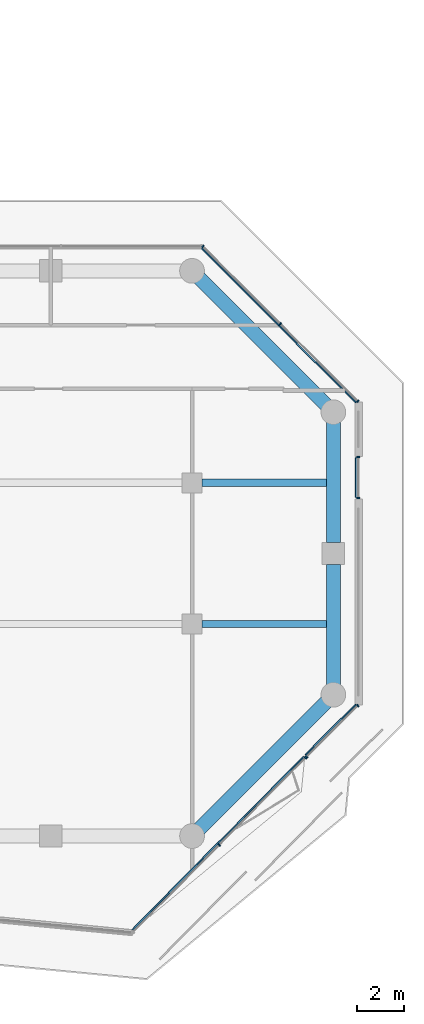
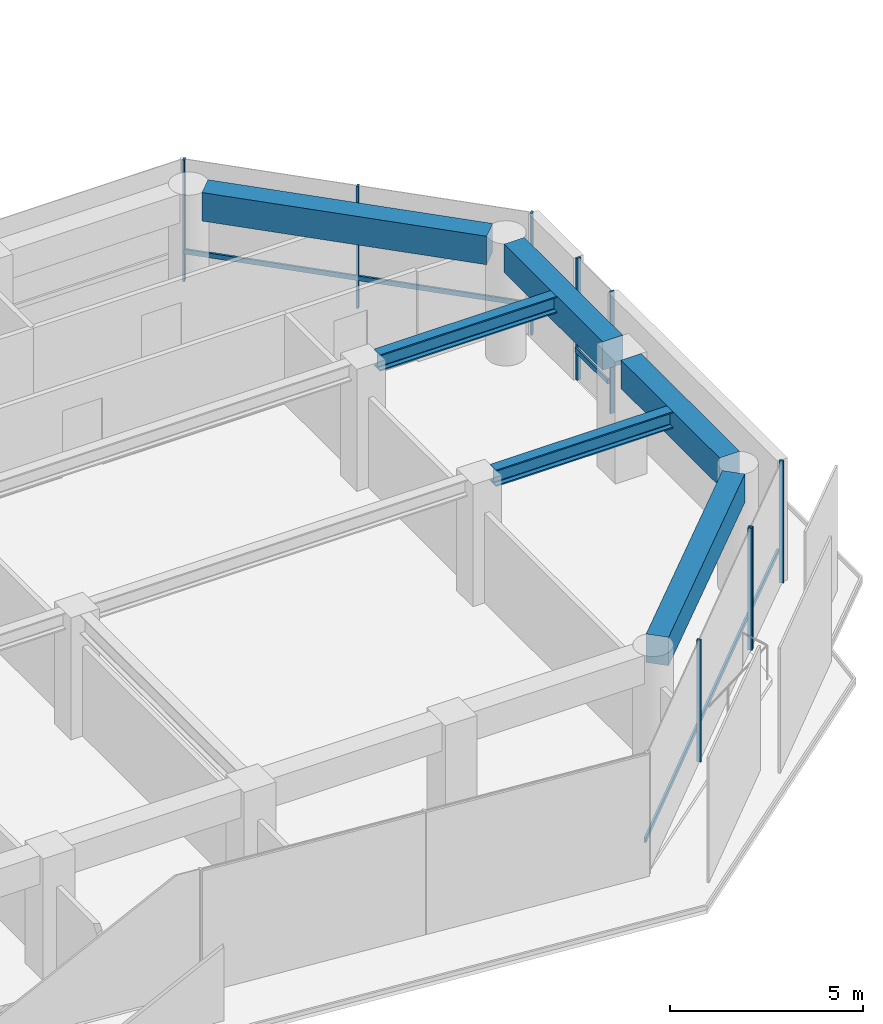
# One storey, part 20 of 31: 13 members, 6 beams, 4 elements without a shape of their own.
"""IFC4 building model written with IfcOpenShell, lengths in metres."""

from ifc_helpers import new_model, si_unit, direction, frame, origin, origin_2d, place, context, subcontext, project, spatial, rectangle, i_section, extrude, material, layer, layer_set, material_profile, profile_set, type_object, element, aggregate, save


model = new_model("IFC4")

# Units and contexts
model_context = context("Model", 3, precision=1e-05, world=origin(), true_north=direction((0.0, 1.0)))
body_context = subcontext(model_context, "Body", "Model", "MODEL_VIEW")
ifc_project = project(units=[si_unit("LENGTHUNIT", "METRE"), si_unit("AREAUNIT", "SQUARE_METRE"), si_unit("VOLUMEUNIT", "CUBIC_METRE"), si_unit("PLANEANGLEUNIT", "RADIAN"), si_unit("MASSUNIT", "GRAM", prefix="KILO")], contexts=[model_context])

# Site, building, storey
site_placement = place(None, origin())
site = spatial("IfcSite", under=ifc_project, at=site_placement, CompositionType="ELEMENT")
building_placement = place(site_placement, origin())
building = spatial("IfcBuilding", under=site, at=building_placement, Name="Welwitschia Terrace Campus", CompositionType="ELEMENT")
storey_placement = place(building_placement, frame((0.0, 0.0, 29.0)))
storey = spatial("IfcBuildingStorey", under=building, at=storey_placement, Name="L06", CompositionType="ELEMENT", Elevation=29.0)

# Beams
ifc_material_1 = material(Name="Steel S355", Category="steel")
ifc_material_profile_1 = material_profile(ifc_material_1, i_section(OverallWidth=0.305908203125, OverallDepth=0.52392578125, WebThickness=0.02099609375, FlangeThickness=0.0400390625, FilletRadius=0.027099609375, at=origin_2d()))
ifc_profile_set_1 = profile_set([ifc_material_profile_1], Name="Steel S355")
beam_type_1 = type_object("IfcBeamType", Name="Interior girder HE 500 M", PredefinedType="BEAM", material=ifc_profile_set_1)
for number, where, z_axis, x_axis, name in (
    (1, (60.425537109375, 5.0, 3.587890625), (1.0, 0.0, 0.0), (0.0, 1.0, 0.0), "Girder GB2"),
    (2, (60.425537109375, 11.0, 3.587890625), (1.0, 0.0, 0.0), (0.0, 1.0, 0.0), "Girder GB2"),
):
    element("IfcBeam", number, at=place(storey_placement, frame(where, z_axis=z_axis, x_axis=x_axis)), inside=storey, type_object=beam_type_1, Name=name, PredefinedType="BEAM", context=body_context, shape_type="SweptSolid", body=[
        extrude(i_section(OverallWidth=0.305908203125, OverallDepth=0.52392578125, WebThickness=0.02099609375, FlangeThickness=0.0400390625, FilletRadius=0.027099609375, at=origin_2d()), origin(), (0.0, 0.0, 1.0), 5.58447265625),
    ])

# Curtain wall, members
ifc_material_2 = material(Name="Bronze anodised aluminium", Category="aluminium")
ifc_layer = layer(ifc_material_2, 0.1201171875)
ifc_layer_set = layer_set([ifc_layer], Name="Bronze anodised aluminium")
curtain_wall_type = type_object("IfcCurtainWallType", Name="Curtain wall CW2 tower 6000", PredefinedType="NOTDEFINED", material=ifc_layer_set)
curtain_wall_1_placement = place(storey_placement, origin())
curtain_wall_1 = element("IfcCurtainWall", 3, at=curtain_wall_1_placement, inside=storey, type_object=curtain_wall_type, Name="CW L06.5.0", PredefinedType="NOTDEFINED")
ifc_material_3 = material(Name="Bronze anodised aluminium", Category="aluminium")
ifc_material_profile_2 = material_profile(ifc_material_3, rectangle(XDim=0.1201171875, YDim=0.06005859375, at=origin_2d()))
ifc_profile_set_2 = profile_set([ifc_material_profile_2], Name="Bronze anodised aluminium")
member_type_1 = type_object("IfcMemberType", Name="Mullion 60x120", PredefinedType="MULLION", material=ifc_profile_set_2)
member_1_placement = place(storey_placement, frame((61.15673828125, -4.37890625, 0.0), z_axis=(0.0, 0.0, 1.0), x_axis=(-0.710866184586, 0.703327283427, 0.0)))
member_1 = element("IfcMember", 4, at=member_1_placement, type_object=member_type_1, Name="Mullion L06.5.0.1", PredefinedType="MULLION", context=body_context, shape_type="SweptSolid", body=[
    extrude(rectangle(XDim=0.1201171875, YDim=0.06005859375, at=origin_2d()), origin(), (0.0, 0.0, 1.0), 3.85009765625),
])
member_2_placement = place(storey_placement, frame((64.8193359375, -0.677001953125, 0.0), z_axis=(0.0, 0.0, 1.0), x_axis=(-0.710866184586, 0.703327283427, 0.0)))
member_2 = element("IfcMember", 5, at=member_2_placement, type_object=member_type_1, Name="Mullion L06.5.0.2", PredefinedType="MULLION", context=body_context, shape_type="SweptSolid", body=[
    extrude(rectangle(XDim=0.1201171875, YDim=0.06005859375, at=origin_2d()), origin(), (0.0, 0.0, 1.0), 3.85009765625),
])

curtain_wall_2_placement = place(storey_placement, origin())
curtain_wall_2 = element("IfcCurtainWall", 6, at=curtain_wall_2_placement, inside=storey, type_object=curtain_wall_type, Name="CW L06.6.0", PredefinedType="NOTDEFINED")
member_3_placement = place(storey_placement, frame((64.86181640625, -0.634521484375, 0.0), z_axis=(0.0, 0.0, 1.0), x_axis=(-0.707106781187, 0.707106781187, 0.0)))
member_3 = element("IfcMember", 7, at=member_3_placement, type_object=member_type_1, Name="Mullion L06.6.0.0", PredefinedType="MULLION", context=body_context, shape_type="SweptSolid", body=[
    extrude(rectangle(XDim=0.1201171875, YDim=0.06005859375, at=origin_2d()), origin(), (0.0, 0.0, 1.0), 3.85009765625),
])
member_4_placement = place(storey_placement, frame((67.036865234375, 1.54052734375, 0.0), z_axis=(0.0, 0.0, 1.0), x_axis=(-0.707106781187, 0.707106781187, 0.0)))
member_4 = element("IfcMember", 8, at=member_4_placement, type_object=member_type_1, Name="Mullion L06.6.0.1", PredefinedType="MULLION", context=body_context, shape_type="SweptSolid", body=[
    extrude(rectangle(XDim=0.1201171875, YDim=0.06005859375, at=origin_2d()), origin(), (0.0, 0.0, 1.0), 3.85009765625),
])

curtain_wall_3_placement = place(storey_placement, origin())
curtain_wall_3 = element("IfcCurtainWall", 9, at=curtain_wall_3_placement, inside=storey, type_object=curtain_wall_type, Name="CW L06.7.S0", PredefinedType="NOTDEFINED")
member_5_placement = place(storey_placement, frame((67.05810546875, 10.34912109375, 0.0), z_axis=(0.0, 0.0, 1.0), x_axis=(-1.0, 0.0, 0.0)))
member_5 = element("IfcMember", 10, at=member_5_placement, type_object=member_type_1, Name="Mullion L06.7.S0.0", PredefinedType="MULLION", context=body_context, shape_type="SweptSolid", body=[
    extrude(rectangle(XDim=0.1201171875, YDim=0.06005859375, at=origin_2d()), origin(), (0.0, 0.0, 1.0), 3.85009765625),
])
member_6_placement = place(storey_placement, frame((67.05810546875, 12.089111328125, 0.0), z_axis=(0.0, 0.0, 1.0), x_axis=(-1.0, 0.0, 0.0)))
member_6 = element("IfcMember", 11, at=member_6_placement, type_object=member_type_1, Name="Mullion L06.7.S0.1", PredefinedType="MULLION", context=body_context, shape_type="SweptSolid", body=[
    extrude(rectangle(XDim=0.1201171875, YDim=0.06005859375, at=origin_2d()), origin(), (0.0, 0.0, 1.0), 3.85009765625),
])

curtain_wall_4_placement = place(storey_placement, origin())
curtain_wall_4 = element("IfcCurtainWall", 12, at=curtain_wall_4_placement, inside=storey, type_object=curtain_wall_type, Name="CW L06.8.0", PredefinedType="NOTDEFINED")
member_7_placement = place(storey_placement, frame((67.036865234375, 14.45947265625, 0.0), z_axis=(0.0, 0.0, 1.0), x_axis=(-0.707106781187, -0.707106781187, 0.0)))
member_7 = element("IfcMember", 13, at=member_7_placement, type_object=member_type_1, Name="Mullion L06.8.0.0", PredefinedType="MULLION", context=body_context, shape_type="SweptSolid", body=[
    extrude(rectangle(XDim=0.1201171875, YDim=0.06005859375, at=origin_2d()), origin(), (0.0, 0.0, 1.0), 3.85009765625),
])
member_8_placement = place(storey_placement, frame((63.748046875, 17.748046875, 0.0), z_axis=(0.0, 0.0, 1.0), x_axis=(-0.707106781187, -0.707106781187, 0.0)))
member_8 = element("IfcMember", 14, at=member_8_placement, type_object=member_type_1, Name="Mullion L06.8.0.1", PredefinedType="MULLION", context=body_context, shape_type="SweptSolid", body=[
    extrude(rectangle(XDim=0.1201171875, YDim=0.06005859375, at=origin_2d()), origin(), (0.0, 0.0, 1.0), 3.85009765625),
])
member_9_placement = place(storey_placement, frame((60.45947265625, 21.036865234375, 0.0), z_axis=(0.0, 0.0, 1.0), x_axis=(-0.707106781187, -0.707106781187, 0.0)))
member_9 = element("IfcMember", 15, at=member_9_placement, type_object=member_type_1, Name="Mullion L06.8.0.2", PredefinedType="MULLION", context=body_context, shape_type="SweptSolid", body=[
    extrude(rectangle(XDim=0.1201171875, YDim=0.06005859375, at=origin_2d()), origin(), (0.0, 0.0, 1.0), 3.85009765625),
])

# Beams
ifc_material_4 = material(Name="Concrete C60/75", Category="concrete")
ifc_material_profile_3 = material_profile(ifc_material_4, rectangle(XDim=0.60009765625, YDim=0.89990234375, at=origin_2d()))
ifc_profile_set_3 = profile_set([ifc_material_profile_3], Name="Concrete C60/75")
beam_type_2 = type_object("IfcBeamType", Name="Ring spandrel 600x900", PredefinedType="SPANDREL", material=ifc_profile_set_3)
beam_1_placement = place(storey_placement, frame((60.30517578125, -3.69482421875, 3.39990234375), z_axis=(0.707106781187, 0.707106781187, 0.0), x_axis=(-0.707106781187, 0.707106781187, 0.0)))
element("IfcBeam", 16, at=beam_1_placement, inside=storey, type_object=beam_type_2, Name="Spandrel SP2", PredefinedType="SPANDREL", context=body_context, shape_type="SweptSolid", body=[
    extrude(rectangle(XDim=0.60009765625, YDim=0.89990234375, at=origin_2d()), origin(), (0.0, 0.0, 1.0), 7.6220703125),
])
for number, where, z_axis, x_axis, name in (
    (17, (66.0, 2.431396484375, 3.39990234375), (0.0, 1.0, 0.0), (-1.0, 0.0, 0.0), "Spandrel SP2"),
    (18, (66.0, 8.4755859375, 3.39990234375), (0.0, 1.0, 0.0), (-1.0, 0.0, 0.0), "Spandrel SP2"),
):
    element("IfcBeam", number, at=place(storey_placement, frame(where, z_axis=z_axis, x_axis=x_axis)), inside=storey, type_object=beam_type_2, Name=name, PredefinedType="SPANDREL", context=body_context, shape_type="SweptSolid", body=[
        extrude(rectangle(XDim=0.60009765625, YDim=0.89990234375, at=origin_2d()), origin(), (0.0, 0.0, 1.0), 5.093017578125),
    ])
beam_2_placement = place(storey_placement, frame((65.69482421875, 14.30517578125, 3.39990234375), z_axis=(-0.707106781187, 0.707106781187, 0.0), x_axis=(-0.707106781187, -0.707106781187, 0.0)))
element("IfcBeam", 19, at=beam_2_placement, inside=storey, type_object=beam_type_2, Name="Spandrel SP2", PredefinedType="SPANDREL", context=body_context, shape_type="SweptSolid", body=[
    extrude(rectangle(XDim=0.60009765625, YDim=0.89990234375, at=origin_2d()), origin(), (0.0, 0.0, 1.0), 7.6220703125),
])

# Member
ifc_material_5 = material(Name="Bronze anodised aluminium", Category="aluminium")
ifc_material_profile_4 = material_profile(ifc_material_5, rectangle(XDim=0.06005859375, YDim=0.14990234375, at=origin_2d()))
ifc_profile_set_4 = profile_set([ifc_material_profile_4], Name="Bronze anodised aluminium")
member_type_2 = type_object("IfcMemberType", Name="Transom 60x150", PredefinedType="USERDEFINED", material=ifc_profile_set_4)
member_10_placement = place(storey_placement, frame((57.451416015625, -7.99609375, 1.0), z_axis=(0.703324404541, 0.710869032929, 0.0), x_axis=(-0.710869032929, 0.703324404541, 0.0)))
member_10 = element("IfcMember", 20, at=member_10_placement, type_object=member_type_2, Name="Transom L06.5.0", ObjectType="TRANSOM", PredefinedType="USERDEFINED", context=body_context, shape_type="SweptSolid", body=[
    extrude(rectangle(XDim=0.06005859375, YDim=0.14990234375, at=origin_2d()), origin(), (0.0, 0.0, 1.0), 10.35498046875),
])

aggregate(curtain_wall_1, [member_1, member_2, member_10])

member_11_placement = place(storey_placement, frame((64.8193359375, -0.549560546875, 1.0), z_axis=(0.707106781187, 0.707106781187, 0.0), x_axis=(-0.707106781187, 0.707106781187, 0.0)))
member_11 = element("IfcMember", 21, at=member_11_placement, type_object=member_type_2, Name="Transom L06.6.0", ObjectType="TRANSOM", PredefinedType="USERDEFINED", context=body_context, shape_type="SweptSolid", body=[
    extrude(rectangle(XDim=0.06005859375, YDim=0.14990234375, at=origin_2d()), origin(), (0.0, 0.0, 1.0), 3.015869140625),
])

aggregate(curtain_wall_2, [member_3, member_4, member_11])

member_12_placement = place(storey_placement, frame((66.968017578125, 10.379150390625, 1.0), z_axis=(0.0, 1.0, 0.0), x_axis=(-1.0, 0.0, 0.0)))
member_12 = element("IfcMember", 22, at=member_12_placement, type_object=member_type_2, Name="Transom L06.7.S0", ObjectType="TRANSOM", PredefinedType="USERDEFINED", context=body_context, shape_type="SweptSolid", body=[
    extrude(rectangle(XDim=0.06005859375, YDim=0.14990234375, at=origin_2d()), origin(), (0.0, 0.0, 1.0), 1.679931640625),
])

aggregate(curtain_wall_3, [member_5, member_6, member_12])

member_13_placement = place(storey_placement, frame((66.951904296875, 14.4169921875, 1.0), z_axis=(-0.707106781187, 0.707106781187, 0.0), x_axis=(-0.707106781187, -0.707106781187, 0.0)))
member_13 = element("IfcMember", 23, at=member_13_placement, type_object=member_type_2, Name="Transom L06.8.0", ObjectType="TRANSOM", PredefinedType="USERDEFINED", context=body_context, shape_type="SweptSolid", body=[
    extrude(rectangle(XDim=0.06005859375, YDim=0.14990234375, at=origin_2d()), origin(), (0.0, 0.0, 1.0), 9.24169921875),
])

aggregate(curtain_wall_4, [member_7, member_8, member_9, member_13])

save(model, "model.ifc")
